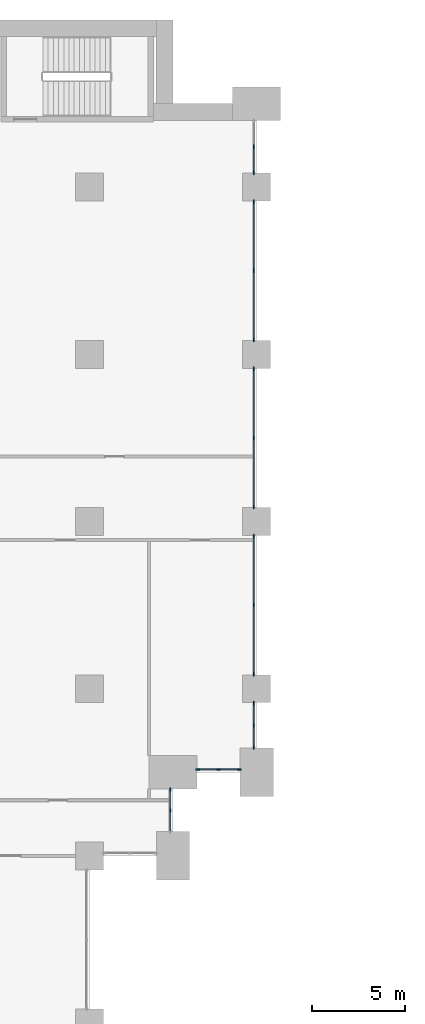
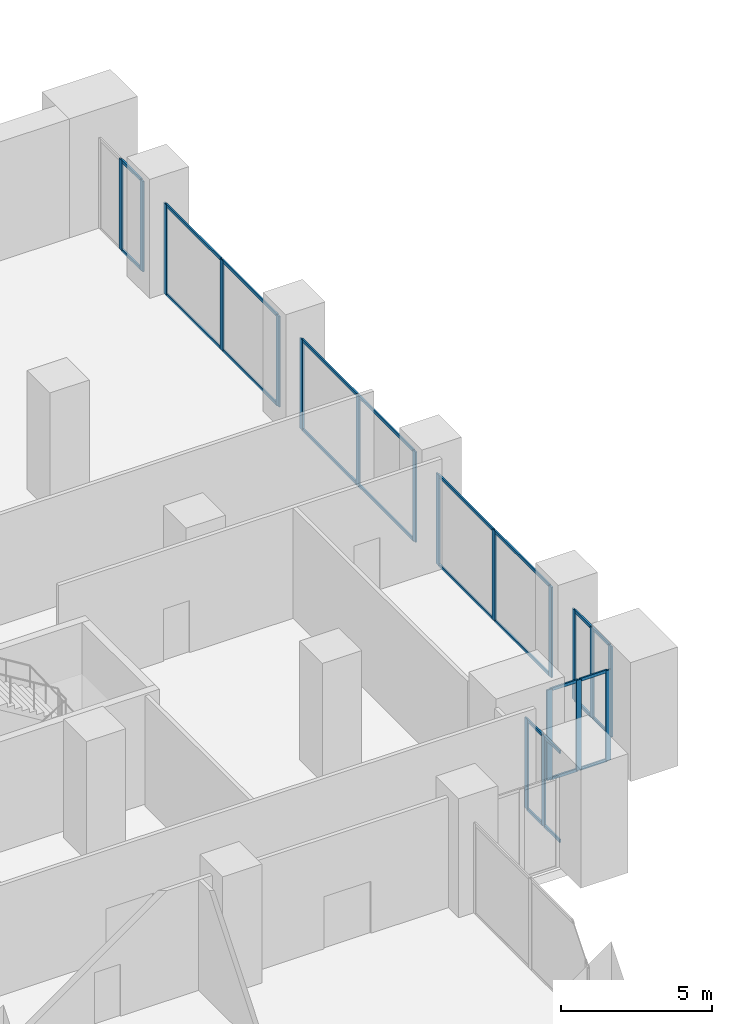
# One storey, part 6 of 31: 45 members, 7 elements without a shape of their own.
"""IFC4 building model written with IfcOpenShell, lengths in metres."""

import ifcopenshell
import ifcopenshell.guid

model = None  # the IFC model being written
_history = None  # IfcOwnerHistory: only IFC2X3 demands one
_inside = {}  # id of a spatial element -> (the spatial element, [elements in it])
_under = {}  # id of a project, library or spatial element -> (it, [spatial elements below it])
_declared = {}  # id of a project -> (the project, [libraries it declares])
_typed = {}  # id of a type object -> (the type object, [elements of that type])
_made_of = {}  # id of a material, layer set ... -> (it, [elements and type objects made of it])


def new_model(schema):
    """Start an empty IFC model of exactly this schema.

    Asked for "IFC4X3", IfcOpenShell would pick the latest addendum, in which some entities
    have other attributes; the version numbers below select the first issue.
    IFC2X3 requires an IfcOwnerHistory on every rooted entity: one is made here for all.
    """
    global model, _history
    if schema == "IFC4X3":
        model = ifcopenshell.file(schema_version=(4, 3, 0, 0))
    else:
        model = ifcopenshell.file(schema=schema)
    _inside.clear()
    _under.clear()
    _declared.clear()
    _typed.clear()
    _made_of.clear()
    _history = None
    if model.schema == "IFC2X3":
        org = make("IfcOrganization", Name="unknown")
        user = make(
            "IfcPersonAndOrganization",
            ThePerson=make("IfcPerson", FamilyName="unknown"),
            TheOrganization=org,
        )
        app = make(
            "IfcApplication",
            ApplicationDeveloper=org,
            Version="unknown",
            ApplicationFullName="unknown",
            ApplicationIdentifier="unknown",
        )
        _history = make(
            "IfcOwnerHistory",
            OwningUser=user,
            OwningApplication=app,
            ChangeAction="ADDED",
            CreationDate=0,
        )
    return model


def make(cls, **values):
    """One entity of the class cls with the attributes given. An attribute that is None is left unset."""
    return model.create_entity(
        cls, **{name: value for name, value in values.items() if value is not None}
    )


def rooted(cls, **values):
    """An entity with a GlobalId (a new one), such as an element, a storey or a relation."""
    return make(cls, GlobalId=ifcopenshell.guid.new(), OwnerHistory=_history, **values)


def si_unit(unit_type, name, prefix=None):
    """IfcSIUnit, for example si_unit("LENGTHUNIT", "METRE", prefix="MILLI")."""
    return make("IfcSIUnit", UnitType=unit_type, Prefix=prefix, Name=name)


def assignment(units):
    """IfcUnitAssignment: the units of a project."""
    return None if units is None else make("IfcUnitAssignment", Units=units)


def point(xyz):
    """IfcCartesianPoint."""
    return None if xyz is None else make("IfcCartesianPoint", Coordinates=xyz)


def direction(xyz):
    """IfcDirection."""
    return None if xyz is None else make("IfcDirection", DirectionRatios=xyz)


def frame(location, z_axis=None, x_axis=None):
    """IfcAxis2Placement3D, a coordinate frame: its origin and axes. An axis left out is left unset."""
    return make(
        "IfcAxis2Placement3D",
        Location=point(location),
        Axis=direction(z_axis),
        RefDirection=direction(x_axis),
    )


def frame_2d(location, x_axis=None):
    """IfcAxis2Placement2D, a coordinate frame in the plane: its origin and x axis."""
    return make(
        "IfcAxis2Placement2D", Location=point(location), RefDirection=direction(x_axis)
    )


def origin():
    """The frame at (0, 0, 0) with its axes left unset."""
    return frame((0.0, 0.0, 0.0))


def origin_2d():
    """The frame at (0, 0) in the plane with its x axis left unset."""
    return frame_2d((0.0, 0.0))


def place(relative_to, where):
    """IfcLocalPlacement: puts the frame where relative to a parent placement (None: the world)."""
    return make(
        "IfcLocalPlacement", PlacementRelTo=relative_to, RelativePlacement=where
    )


def context(
    kind, dimensions, precision=None, world=None, true_north=None, identifier=None
):
    """IfcGeometricRepresentationContext, for example the 3D "Model" context."""
    return make(
        "IfcGeometricRepresentationContext",
        ContextIdentifier=identifier,
        ContextType=kind,
        CoordinateSpaceDimension=dimensions,
        Precision=precision,
        WorldCoordinateSystem=world,
        TrueNorth=true_north,
    )


def subcontext(parent, identifier, kind, view, scale=None):
    """IfcGeometricRepresentationSubContext, for example "Body" below "Model"."""
    return make(
        "IfcGeometricRepresentationSubContext",
        ContextIdentifier=identifier,
        ContextType=kind,
        ParentContext=parent,
        TargetScale=scale,
        TargetView=view,
    )


def project(units=None, contexts=None):
    """IfcProject with its units and contexts."""
    return rooted(
        "IfcProject",
        Name="project",
        RepresentationContexts=contexts,
        UnitsInContext=assignment(units),
    )


def spatial(cls, under=None, at=None, **own):
    """A site, building, storey or space (cls), placed at a placement, below another one or the project."""
    s = rooted(cls, ObjectPlacement=at, **own)
    if under is not None:
        _under.setdefault(under.id(), (under, []))[1].append(s)
    return s


def profile(cls, at=None, kind="AREA", **sizes):
    """A parametric profile (cls). Its sizes go by their IFC names, for example OverallWidth=200.0."""
    return make(cls, ProfileType=kind, Position=at, **sizes)


def rectangle(**sizes):
    """IfcRectangleProfileDef."""
    return profile("IfcRectangleProfileDef", **sizes)


def extrude(swept, where, along, depth):
    """IfcExtrudedAreaSolid: the profile swept, set in the frame where, extruded along a direction by depth."""
    return make(
        "IfcExtrudedAreaSolid",
        SweptArea=swept,
        Position=where,
        ExtrudedDirection=direction(along),
        Depth=depth,
    )


def shape(context_of_items, identifier, shape_type, items):
    """IfcShapeRepresentation: the items that make up one representation, for example the "Body"."""
    return make(
        "IfcShapeRepresentation",
        ContextOfItems=context_of_items,
        RepresentationIdentifier=identifier,
        RepresentationType=shape_type,
        Items=items,
    )


def material(Name=None, Category=None):
    """IfcMaterial."""
    return make("IfcMaterial", Name=Name, Category=Category)


def material_profile(
    of_material, cross_section, Name=None, Category=None, Priority=None
):
    """IfcMaterialProfile: a cross section and its material."""
    return make(
        "IfcMaterialProfile",
        Name=Name,
        Material=of_material,
        Profile=cross_section,
        Priority=Priority,
        Category=Category,
    )


def profile_set(profiles, Name=None, composite=None):
    """IfcMaterialProfileSet."""
    return make(
        "IfcMaterialProfileSet",
        Name=Name,
        MaterialProfiles=profiles,
        CompositeProfile=composite,
    )


def made_of(thing, what):
    """Note that an element or type object is made of a material, layer set ...; save() writes the relation."""
    if what is not None:
        _made_of.setdefault(what.id(), (what, []))[1].append(thing)
    return thing


def type_object(cls, material=None, **own):
    """A type object (cls), such as IfcWallType, which elements share."""
    return made_of(rooted(cls, **own), material)


def element(
    cls,
    number,
    at=None,
    inside=None,
    cuts=None,
    type_object=None,
    material=None,
    context=None,
    identifier="Body",
    shape_type=None,
    held_by="IfcProductDefinitionShape",
    body=None,
    shapes=None,
    **own,
):
    """One element of the class cls, such as IfcWall. Its Tag is "e" and its number.

    at: its placement. inside: the storey or other place that contains it. cuts: it is an
    opening in that element (IfcRelVoidsElement). A single representation is given by context,
    identifier, shape_type and body (its items); several are given by shapes. held_by: the class
    of the entity that holds the representations. save() writes the other relations.
    """
    e = rooted(cls, Tag="e%d" % number, ObjectPlacement=at, **own)
    if body is not None:
        shapes = [shape(context, identifier, shape_type, body)]
    if shapes is not None:
        e.Representation = make(held_by, Representations=shapes)
    if inside is not None:
        _inside.setdefault(inside.id(), (inside, []))[1].append(e)
    if cuts is not None:
        rooted(
            "IfcRelVoidsElement", RelatingBuildingElement=cuts, RelatedOpeningElement=e
        )
    if type_object is not None:
        _typed.setdefault(type_object.id(), (type_object, []))[1].append(e)
    return made_of(e, material)


def aggregate(whole, parts):
    """IfcRelAggregates: a whole, such as a stair, and the parts it consists of."""
    return rooted("IfcRelAggregates", RelatingObject=whole, RelatedObjects=parts)


def save(model, path):
    """Write the relations noted so far, then the file.

    IfcRelAggregates (storeys below a building ...), IfcRelContainedInSpatialStructure (elements
    in a storey), IfcRelDefinesByType, IfcRelAssociatesMaterial and IfcRelDeclares: one each for
    every whole, place, type object, material and project.
    """
    for whole, parts in _under.values():
        aggregate(whole, parts)
    for where, things in _inside.values():
        rooted(
            "IfcRelContainedInSpatialStructure",
            RelatedElements=things,
            RelatingStructure=where,
        )
    for kind, things in _typed.values():
        rooted("IfcRelDefinesByType", RelatedObjects=things, RelatingType=kind)
    for what, things in _made_of.values():
        rooted("IfcRelAssociatesMaterial", RelatedObjects=things, RelatingMaterial=what)
    for by, libraries in _declared.values():
        rooted("IfcRelDeclares", RelatingContext=by, RelatedDefinitions=libraries)
    model.write(path)


model = new_model("IFC4")

# Units and contexts
model_context = context("Model", 3, precision=1e-05, world=origin(), true_north=direction((0.0, 1.0)))
body_context = subcontext(model_context, "Body", "Model", "MODEL_VIEW")
ifc_project = project(units=[si_unit("LENGTHUNIT", "METRE"), si_unit("AREAUNIT", "SQUARE_METRE"), si_unit("VOLUMEUNIT", "CUBIC_METRE"), si_unit("PLANEANGLEUNIT", "RADIAN"), si_unit("MASSUNIT", "GRAM", prefix="KILO")], contexts=[model_context])

# Site, building, storey
site_placement = place(None, origin())
site = spatial("IfcSite", under=ifc_project, at=site_placement, CompositionType="ELEMENT")
building_placement = place(site_placement, origin())
building = spatial("IfcBuilding", under=site, at=building_placement, Name="Hunhe Ridgeline Campus", CompositionType="ELEMENT")
storey_placement = place(building_placement, frame((0.0, 0.0, 16.800048828125)))
storey = spatial("IfcBuildingStorey", under=building, at=storey_placement, Name="L03", CompositionType="ELEMENT", Elevation=16.800048828125)

# Curtain wall, members
ifc_material_1 = material(Name="Aluminium and glass", Category="aluminium")
curtain_wall_type = type_object("IfcCurtainWallType", Name="Podium curtain wall CW-2", PredefinedType="NOTDEFINED", material=ifc_material_1)
curtain_wall_1_placement = place(storey_placement, origin())
curtain_wall_1 = element("IfcCurtainWall", 1, at=curtain_wall_1_placement, inside=storey, type_object=curtain_wall_type, Name="L03 podium curtain wall 2", PredefinedType="NOTDEFINED")
ifc_material_2 = material(Name="Aluminium", Category="aluminium")
ifc_material_profile_1 = material_profile(ifc_material_2, rectangle(XDim=0.06005859375, YDim=0.199951171875, at=origin_2d()))
ifc_profile_set_1 = profile_set([ifc_material_profile_1], Name="Aluminium")
member_type_1 = type_object("IfcMemberType", Name="CW-2 mullion 60x200", PredefinedType="MULLION", material=ifc_profile_set_1)
member_1_placement = place(storey_placement, frame((94.35009765625, 56.449951171875, 0.0), z_axis=(0.0, 0.0, 1.0), x_axis=(-1.0, 0.0, 0.0)))
member_1 = element("IfcMember", 2, at=member_1_placement, type_object=member_type_1, Name="CW2 mullion 2", PredefinedType="MULLION", context=body_context, shape_type="SweptSolid", body=[
    extrude(rectangle(XDim=0.06005859375, YDim=0.199951171875, at=origin_2d()), origin(), (0.0, 0.0, 1.0), 3.64990234375),
])
member_2_placement = place(storey_placement, frame((94.35009765625, 57.570068359375, 0.0), z_axis=(0.0, 0.0, 1.0), x_axis=(-1.0, 0.0, 0.0)))
member_2 = element("IfcMember", 3, at=member_2_placement, type_object=member_type_1, Name="CW2 mullion 3", PredefinedType="MULLION", context=body_context, shape_type="SweptSolid", body=[
    extrude(rectangle(XDim=0.06005859375, YDim=0.199951171875, at=origin_2d()), origin(), (0.0, 0.0, 1.0), 3.64990234375),
])

curtain_wall_2_placement = place(storey_placement, origin())
curtain_wall_2 = element("IfcCurtainWall", 4, at=curtain_wall_2_placement, inside=storey, type_object=curtain_wall_type, Name="L03 podium curtain wall 3", PredefinedType="NOTDEFINED")
member_3_placement = place(storey_placement, frame((95.830078125, 58.64990234375, 0.0), z_axis=(0.0, 0.0, 1.0), x_axis=(0.0, 1.0, 0.0)))
member_3 = element("IfcMember", 5, at=member_3_placement, type_object=member_type_1, Name="CW2 mullion 1", PredefinedType="MULLION", context=body_context, shape_type="SweptSolid", body=[
    extrude(rectangle(XDim=0.06005859375, YDim=0.199951171875, at=origin_2d()), origin(), (0.0, 0.0, 1.0), 3.64990234375),
])
member_4_placement = place(storey_placement, frame((96.949951171875, 58.64990234375, 0.0), z_axis=(0.0, 0.0, 1.0), x_axis=(0.0, 1.0, 0.0)))
member_4 = element("IfcMember", 6, at=member_4_placement, type_object=member_type_1, Name="CW2 mullion 2", PredefinedType="MULLION", context=body_context, shape_type="SweptSolid", body=[
    extrude(rectangle(XDim=0.06005859375, YDim=0.199951171875, at=origin_2d()), origin(), (0.0, 0.0, 1.0), 3.64990234375),
])
member_5_placement = place(storey_placement, frame((98.070068359375, 58.64990234375, 0.0), z_axis=(0.0, 0.0, 1.0), x_axis=(0.0, 1.0, 0.0)))
member_5 = element("IfcMember", 7, at=member_5_placement, type_object=member_type_1, Name="CW2 mullion 3", PredefinedType="MULLION", context=body_context, shape_type="SweptSolid", body=[
    extrude(rectangle(XDim=0.06005859375, YDim=0.199951171875, at=origin_2d()), origin(), (0.0, 0.0, 1.0), 3.64990234375),
])

curtain_wall_3_placement = place(storey_placement, origin())
curtain_wall_3 = element("IfcCurtainWall", 8, at=curtain_wall_3_placement, inside=storey, type_object=curtain_wall_type, Name="L03 podium curtain wall 4", PredefinedType="NOTDEFINED")
member_6_placement = place(storey_placement, frame((98.85009765625, 59.830078125, 0.0), z_axis=(0.0, 0.0, 1.0), x_axis=(-1.0, 0.0, 0.0)))
member_6 = element("IfcMember", 9, at=member_6_placement, type_object=member_type_1, Name="CW2 mullion 1", PredefinedType="MULLION", context=body_context, shape_type="SweptSolid", body=[
    extrude(rectangle(XDim=0.06005859375, YDim=0.199951171875, at=origin_2d()), origin(), (0.0, 0.0, 1.0), 3.64990234375),
])
member_7_placement = place(storey_placement, frame((98.85009765625, 61.02490234375, 0.0), z_axis=(0.0, 0.0, 1.0), x_axis=(-1.0, 0.0, 0.0)))
member_7 = element("IfcMember", 10, at=member_7_placement, type_object=member_type_1, Name="CW2 mullion 2", PredefinedType="MULLION", context=body_context, shape_type="SweptSolid", body=[
    extrude(rectangle(XDim=0.06005859375, YDim=0.199951171875, at=origin_2d()), origin(), (0.0, 0.0, 1.0), 3.64990234375),
])
member_8_placement = place(storey_placement, frame((98.85009765625, 62.219970703125, 0.0), z_axis=(0.0, 0.0, 1.0), x_axis=(-1.0, 0.0, 0.0)))
member_8 = element("IfcMember", 11, at=member_8_placement, type_object=member_type_1, Name="CW2 mullion 3", PredefinedType="MULLION", context=body_context, shape_type="SweptSolid", body=[
    extrude(rectangle(XDim=0.06005859375, YDim=0.199951171875, at=origin_2d()), origin(), (0.0, 0.0, 1.0), 3.64990234375),
])

curtain_wall_4_placement = place(storey_placement, origin())
curtain_wall_4 = element("IfcCurtainWall", 12, at=curtain_wall_4_placement, inside=storey, type_object=curtain_wall_type, Name="L03 podium curtain wall 5", PredefinedType="NOTDEFINED")
member_9_placement = place(storey_placement, frame((98.85009765625, 63.780029296875, 0.0), z_axis=(0.0, 0.0, 1.0), x_axis=(-1.0, 0.0, 0.0)))
member_9 = element("IfcMember", 13, at=member_9_placement, type_object=member_type_1, Name="CW2 mullion 1", PredefinedType="MULLION", context=body_context, shape_type="SweptSolid", body=[
    extrude(rectangle(XDim=0.06005859375, YDim=0.199951171875, at=origin_2d()), origin(), (0.0, 0.0, 1.0), 3.64990234375),
])
member_10_placement = place(storey_placement, frame((98.85009765625, 67.5, 0.0), z_axis=(0.0, 0.0, 1.0), x_axis=(-1.0, 0.0, 0.0)))
member_10 = element("IfcMember", 14, at=member_10_placement, type_object=member_type_1, Name="CW2 mullion 2", PredefinedType="MULLION", context=body_context, shape_type="SweptSolid", body=[
    extrude(rectangle(XDim=0.06005859375, YDim=0.199951171875, at=origin_2d()), origin(), (0.0, 0.0, 1.0), 3.64990234375),
])
member_11_placement = place(storey_placement, frame((98.85009765625, 71.219970703125, 0.0), z_axis=(0.0, 0.0, 1.0), x_axis=(-1.0, 0.0, 0.0)))
member_11 = element("IfcMember", 15, at=member_11_placement, type_object=member_type_1, Name="CW2 mullion 3", PredefinedType="MULLION", context=body_context, shape_type="SweptSolid", body=[
    extrude(rectangle(XDim=0.06005859375, YDim=0.199951171875, at=origin_2d()), origin(), (0.0, 0.0, 1.0), 3.64990234375),
])

curtain_wall_5_placement = place(storey_placement, origin())
curtain_wall_5 = element("IfcCurtainWall", 16, at=curtain_wall_5_placement, inside=storey, type_object=curtain_wall_type, Name="L03 podium curtain wall 6", PredefinedType="NOTDEFINED")
member_12_placement = place(storey_placement, frame((98.85009765625, 72.780029296875, 0.0), z_axis=(0.0, 0.0, 1.0), x_axis=(-1.0, 0.0, 0.0)))
member_12 = element("IfcMember", 17, at=member_12_placement, type_object=member_type_1, Name="CW2 mullion 1", PredefinedType="MULLION", context=body_context, shape_type="SweptSolid", body=[
    extrude(rectangle(XDim=0.06005859375, YDim=0.199951171875, at=origin_2d()), origin(), (0.0, 0.0, 1.0), 3.64990234375),
])
member_13_placement = place(storey_placement, frame((98.85009765625, 76.5, 0.0), z_axis=(0.0, 0.0, 1.0), x_axis=(-1.0, 0.0, 0.0)))
member_13 = element("IfcMember", 18, at=member_13_placement, type_object=member_type_1, Name="CW2 mullion 2", PredefinedType="MULLION", context=body_context, shape_type="SweptSolid", body=[
    extrude(rectangle(XDim=0.06005859375, YDim=0.199951171875, at=origin_2d()), origin(), (0.0, 0.0, 1.0), 3.64990234375),
])
member_14_placement = place(storey_placement, frame((98.85009765625, 80.219970703125, 0.0), z_axis=(0.0, 0.0, 1.0), x_axis=(-1.0, 0.0, 0.0)))
member_14 = element("IfcMember", 19, at=member_14_placement, type_object=member_type_1, Name="CW2 mullion 3", PredefinedType="MULLION", context=body_context, shape_type="SweptSolid", body=[
    extrude(rectangle(XDim=0.06005859375, YDim=0.199951171875, at=origin_2d()), origin(), (0.0, 0.0, 1.0), 3.64990234375),
])

curtain_wall_6_placement = place(storey_placement, origin())
curtain_wall_6 = element("IfcCurtainWall", 20, at=curtain_wall_6_placement, inside=storey, type_object=curtain_wall_type, Name="L03 podium curtain wall 7", PredefinedType="NOTDEFINED")
member_15_placement = place(storey_placement, frame((98.85009765625, 81.780029296875, 0.0), z_axis=(0.0, 0.0, 1.0), x_axis=(-1.0, 0.0, 0.0)))
member_15 = element("IfcMember", 21, at=member_15_placement, type_object=member_type_1, Name="CW2 mullion 1", PredefinedType="MULLION", context=body_context, shape_type="SweptSolid", body=[
    extrude(rectangle(XDim=0.06005859375, YDim=0.199951171875, at=origin_2d()), origin(), (0.0, 0.0, 1.0), 3.64990234375),
])
member_16_placement = place(storey_placement, frame((98.85009765625, 85.5, 0.0), z_axis=(0.0, 0.0, 1.0), x_axis=(-1.0, 0.0, 0.0)))
member_16 = element("IfcMember", 22, at=member_16_placement, type_object=member_type_1, Name="CW2 mullion 2", PredefinedType="MULLION", context=body_context, shape_type="SweptSolid", body=[
    extrude(rectangle(XDim=0.06005859375, YDim=0.199951171875, at=origin_2d()), origin(), (0.0, 0.0, 1.0), 3.64990234375),
])
member_17_placement = place(storey_placement, frame((98.85009765625, 89.219970703125, 0.0), z_axis=(0.0, 0.0, 1.0), x_axis=(-1.0, 0.0, 0.0)))
member_17 = element("IfcMember", 23, at=member_17_placement, type_object=member_type_1, Name="CW2 mullion 3", PredefinedType="MULLION", context=body_context, shape_type="SweptSolid", body=[
    extrude(rectangle(XDim=0.06005859375, YDim=0.199951171875, at=origin_2d()), origin(), (0.0, 0.0, 1.0), 3.64990234375),
])

curtain_wall_7_placement = place(storey_placement, origin())
curtain_wall_7 = element("IfcCurtainWall", 24, at=curtain_wall_7_placement, inside=storey, type_object=curtain_wall_type, Name="L03 podium curtain wall 8", PredefinedType="NOTDEFINED")
member_18_placement = place(storey_placement, frame((98.85009765625, 90.780029296875, 0.0), z_axis=(0.0, 0.0, 1.0), x_axis=(-1.0, 0.0, 0.0)))
member_18 = element("IfcMember", 25, at=member_18_placement, type_object=member_type_1, Name="CW2 mullion 1", PredefinedType="MULLION", context=body_context, shape_type="SweptSolid", body=[
    extrude(rectangle(XDim=0.06005859375, YDim=0.199951171875, at=origin_2d()), origin(), (0.0, 0.0, 1.0), 3.64990234375),
])
member_19_placement = place(storey_placement, frame((98.85009765625, 92.175048828125, 0.0), z_axis=(0.0, 0.0, 1.0), x_axis=(-1.0, 0.0, 0.0)))
member_19 = element("IfcMember", 26, at=member_19_placement, type_object=member_type_1, Name="CW2 mullion 2", PredefinedType="MULLION", context=body_context, shape_type="SweptSolid", body=[
    extrude(rectangle(XDim=0.06005859375, YDim=0.199951171875, at=origin_2d()), origin(), (0.0, 0.0, 1.0), 3.64990234375),
])

# Member
ifc_material_profile_2 = material_profile(ifc_material_2, rectangle(XDim=0.06005859375, YDim=0.1201171875, at=origin_2d()))
ifc_profile_set_2 = profile_set([ifc_material_profile_2], Name="Aluminium")
member_type_2 = type_object("IfcMemberType", Name="CW-2 transom 60x120", PredefinedType="USERDEFINED", material=ifc_profile_set_2)
member_20_placement = place(storey_placement, frame((94.35009765625, 55.360107421875, 0.030029296875), z_axis=(0.0, 1.0, 0.0), x_axis=(-1.0, 0.0, 0.0)))
member_20 = element("IfcMember", 27, at=member_20_placement, type_object=member_type_2, Name="CW2 transom 1.1", ObjectType="TRANSOM", PredefinedType="USERDEFINED", context=body_context, shape_type="SweptSolid", body=[
    extrude(rectangle(XDim=0.06005859375, YDim=0.1201171875, at=origin_2d()), origin(), (0.0, 0.0, 1.0), 1.059814453125),
])

member_21_placement = place(storey_placement, frame((94.35009765625, 55.360107421875, 3.619873046875), z_axis=(0.0, 1.0, 0.0), x_axis=(-1.0, 0.0, 0.0)))
member_21 = element("IfcMember", 28, at=member_21_placement, type_object=member_type_2, Name="CW2 transom 1.2", ObjectType="TRANSOM", PredefinedType="USERDEFINED", context=body_context, shape_type="SweptSolid", body=[
    extrude(rectangle(XDim=0.06005859375, YDim=0.1201171875, at=origin_2d()), origin(), (0.0, 0.0, 1.0), 1.059814453125),
])

member_22_placement = place(storey_placement, frame((94.35009765625, 56.47998046875, 0.030029296875), z_axis=(0.0, 1.0, 0.0), x_axis=(-1.0, 0.0, 0.0)))
member_22 = element("IfcMember", 29, at=member_22_placement, type_object=member_type_2, Name="CW2 transom 2.1", ObjectType="TRANSOM", PredefinedType="USERDEFINED", context=body_context, shape_type="SweptSolid", body=[
    extrude(rectangle(XDim=0.06005859375, YDim=0.1201171875, at=origin_2d()), origin(), (0.0, 0.0, 1.0), 1.06005859375),
])

member_23_placement = place(storey_placement, frame((94.35009765625, 56.47998046875, 3.619873046875), z_axis=(0.0, 1.0, 0.0), x_axis=(-1.0, 0.0, 0.0)))
member_23 = element("IfcMember", 30, at=member_23_placement, type_object=member_type_2, Name="CW2 transom 2.2", ObjectType="TRANSOM", PredefinedType="USERDEFINED", context=body_context, shape_type="SweptSolid", body=[
    extrude(rectangle(XDim=0.06005859375, YDim=0.1201171875, at=origin_2d()), origin(), (0.0, 0.0, 1.0), 1.06005859375),
])

aggregate(curtain_wall_1, [member_1, member_2, member_20, member_21, member_22, member_23])

member_24_placement = place(storey_placement, frame((95.860107421875, 58.64990234375, 0.030029296875), z_axis=(1.0, 0.0, 0.0), x_axis=(0.0, 1.0, 0.0)))
member_24 = element("IfcMember", 31, at=member_24_placement, type_object=member_type_2, Name="CW2 transom 1.1", ObjectType="TRANSOM", PredefinedType="USERDEFINED", context=body_context, shape_type="SweptSolid", body=[
    extrude(rectangle(XDim=0.06005859375, YDim=0.1201171875, at=origin_2d()), origin(), (0.0, 0.0, 1.0), 1.059814453125),
])

member_25_placement = place(storey_placement, frame((95.860107421875, 58.64990234375, 3.619873046875), z_axis=(1.0, 0.0, 0.0), x_axis=(0.0, 1.0, 0.0)))
member_25 = element("IfcMember", 32, at=member_25_placement, type_object=member_type_2, Name="CW2 transom 1.2", ObjectType="TRANSOM", PredefinedType="USERDEFINED", context=body_context, shape_type="SweptSolid", body=[
    extrude(rectangle(XDim=0.06005859375, YDim=0.1201171875, at=origin_2d()), origin(), (0.0, 0.0, 1.0), 1.059814453125),
])

member_26_placement = place(storey_placement, frame((96.97998046875, 58.64990234375, 0.030029296875), z_axis=(1.0, 0.0, 0.0), x_axis=(0.0, 1.0, 0.0)))
member_26 = element("IfcMember", 33, at=member_26_placement, type_object=member_type_2, Name="CW2 transom 2.1", ObjectType="TRANSOM", PredefinedType="USERDEFINED", context=body_context, shape_type="SweptSolid", body=[
    extrude(rectangle(XDim=0.06005859375, YDim=0.1201171875, at=origin_2d()), origin(), (0.0, 0.0, 1.0), 1.06005859375),
])

member_27_placement = place(storey_placement, frame((96.97998046875, 58.64990234375, 3.619873046875), z_axis=(1.0, 0.0, 0.0), x_axis=(0.0, 1.0, 0.0)))
member_27 = element("IfcMember", 34, at=member_27_placement, type_object=member_type_2, Name="CW2 transom 2.2", ObjectType="TRANSOM", PredefinedType="USERDEFINED", context=body_context, shape_type="SweptSolid", body=[
    extrude(rectangle(XDim=0.06005859375, YDim=0.1201171875, at=origin_2d()), origin(), (0.0, 0.0, 1.0), 1.06005859375),
])

aggregate(curtain_wall_2, [member_3, member_4, member_5, member_24, member_25, member_26, member_27])

member_28_placement = place(storey_placement, frame((98.85009765625, 59.860107421875, 0.030029296875), z_axis=(0.0, 1.0, 0.0), x_axis=(-1.0, 0.0, 0.0)))
member_28 = element("IfcMember", 35, at=member_28_placement, type_object=member_type_2, Name="CW2 transom 1.1", ObjectType="TRANSOM", PredefinedType="USERDEFINED", context=body_context, shape_type="SweptSolid", body=[
    extrude(rectangle(XDim=0.06005859375, YDim=0.1201171875, at=origin_2d()), origin(), (0.0, 0.0, 1.0), 1.135009765625),
])

member_29_placement = place(storey_placement, frame((98.85009765625, 59.860107421875, 3.619873046875), z_axis=(0.0, 1.0, 0.0), x_axis=(-1.0, 0.0, 0.0)))
member_29 = element("IfcMember", 36, at=member_29_placement, type_object=member_type_2, Name="CW2 transom 1.2", ObjectType="TRANSOM", PredefinedType="USERDEFINED", context=body_context, shape_type="SweptSolid", body=[
    extrude(rectangle(XDim=0.06005859375, YDim=0.1201171875, at=origin_2d()), origin(), (0.0, 0.0, 1.0), 1.135009765625),
])

member_30_placement = place(storey_placement, frame((98.85009765625, 61.054931640625, 0.030029296875), z_axis=(0.0, 1.0, 0.0), x_axis=(-1.0, 0.0, 0.0)))
member_30 = element("IfcMember", 37, at=member_30_placement, type_object=member_type_2, Name="CW2 transom 2.1", ObjectType="TRANSOM", PredefinedType="USERDEFINED", context=body_context, shape_type="SweptSolid", body=[
    extrude(rectangle(XDim=0.06005859375, YDim=0.1201171875, at=origin_2d()), origin(), (0.0, 0.0, 1.0), 1.135009765625),
])

member_31_placement = place(storey_placement, frame((98.85009765625, 61.054931640625, 3.619873046875), z_axis=(0.0, 1.0, 0.0), x_axis=(-1.0, 0.0, 0.0)))
member_31 = element("IfcMember", 38, at=member_31_placement, type_object=member_type_2, Name="CW2 transom 2.2", ObjectType="TRANSOM", PredefinedType="USERDEFINED", context=body_context, shape_type="SweptSolid", body=[
    extrude(rectangle(XDim=0.06005859375, YDim=0.1201171875, at=origin_2d()), origin(), (0.0, 0.0, 1.0), 1.135009765625),
])

aggregate(curtain_wall_3, [member_6, member_7, member_8, member_28, member_29, member_30, member_31])

member_32_placement = place(storey_placement, frame((98.85009765625, 63.81005859375, 0.030029296875), z_axis=(0.0, 1.0, 0.0), x_axis=(-1.0, 0.0, 0.0)))
member_32 = element("IfcMember", 39, at=member_32_placement, type_object=member_type_2, Name="CW2 transom 1.1", ObjectType="TRANSOM", PredefinedType="USERDEFINED", context=body_context, shape_type="SweptSolid", body=[
    extrude(rectangle(XDim=0.06005859375, YDim=0.1201171875, at=origin_2d()), origin(), (0.0, 0.0, 1.0), 3.659912109375),
])

member_33_placement = place(storey_placement, frame((98.85009765625, 63.81005859375, 3.619873046875), z_axis=(0.0, 1.0, 0.0), x_axis=(-1.0, 0.0, 0.0)))
member_33 = element("IfcMember", 40, at=member_33_placement, type_object=member_type_2, Name="CW2 transom 1.2", ObjectType="TRANSOM", PredefinedType="USERDEFINED", context=body_context, shape_type="SweptSolid", body=[
    extrude(rectangle(XDim=0.06005859375, YDim=0.1201171875, at=origin_2d()), origin(), (0.0, 0.0, 1.0), 3.659912109375),
])

member_34_placement = place(storey_placement, frame((98.85009765625, 67.530029296875, 0.030029296875), z_axis=(0.0, 1.0, 0.0), x_axis=(-1.0, 0.0, 0.0)))
member_34 = element("IfcMember", 41, at=member_34_placement, type_object=member_type_2, Name="CW2 transom 2.1", ObjectType="TRANSOM", PredefinedType="USERDEFINED", context=body_context, shape_type="SweptSolid", body=[
    extrude(rectangle(XDim=0.06005859375, YDim=0.1201171875, at=origin_2d()), origin(), (0.0, 0.0, 1.0), 3.659912109375),
])

member_35_placement = place(storey_placement, frame((98.85009765625, 67.530029296875, 3.619873046875), z_axis=(0.0, 1.0, 0.0), x_axis=(-1.0, 0.0, 0.0)))
member_35 = element("IfcMember", 42, at=member_35_placement, type_object=member_type_2, Name="CW2 transom 2.2", ObjectType="TRANSOM", PredefinedType="USERDEFINED", context=body_context, shape_type="SweptSolid", body=[
    extrude(rectangle(XDim=0.06005859375, YDim=0.1201171875, at=origin_2d()), origin(), (0.0, 0.0, 1.0), 3.659912109375),
])

aggregate(curtain_wall_4, [member_9, member_10, member_11, member_32, member_33, member_34, member_35])

member_36_placement = place(storey_placement, frame((98.85009765625, 72.81005859375, 0.030029296875), z_axis=(0.0, 1.0, 0.0), x_axis=(-1.0, 0.0, 0.0)))
member_36 = element("IfcMember", 43, at=member_36_placement, type_object=member_type_2, Name="CW2 transom 1.1", ObjectType="TRANSOM", PredefinedType="USERDEFINED", context=body_context, shape_type="SweptSolid", body=[
    extrude(rectangle(XDim=0.06005859375, YDim=0.1201171875, at=origin_2d()), origin(), (0.0, 0.0, 1.0), 3.659912109375),
])

member_37_placement = place(storey_placement, frame((98.85009765625, 72.81005859375, 3.619873046875), z_axis=(0.0, 1.0, 0.0), x_axis=(-1.0, 0.0, 0.0)))
member_37 = element("IfcMember", 44, at=member_37_placement, type_object=member_type_2, Name="CW2 transom 1.2", ObjectType="TRANSOM", PredefinedType="USERDEFINED", context=body_context, shape_type="SweptSolid", body=[
    extrude(rectangle(XDim=0.06005859375, YDim=0.1201171875, at=origin_2d()), origin(), (0.0, 0.0, 1.0), 3.659912109375),
])

member_38_placement = place(storey_placement, frame((98.85009765625, 76.530029296875, 0.030029296875), z_axis=(0.0, 1.0, 0.0), x_axis=(-1.0, 0.0, 0.0)))
member_38 = element("IfcMember", 45, at=member_38_placement, type_object=member_type_2, Name="CW2 transom 2.1", ObjectType="TRANSOM", PredefinedType="USERDEFINED", context=body_context, shape_type="SweptSolid", body=[
    extrude(rectangle(XDim=0.06005859375, YDim=0.1201171875, at=origin_2d()), origin(), (0.0, 0.0, 1.0), 3.659912109375),
])

member_39_placement = place(storey_placement, frame((98.85009765625, 76.530029296875, 3.619873046875), z_axis=(0.0, 1.0, 0.0), x_axis=(-1.0, 0.0, 0.0)))
member_39 = element("IfcMember", 46, at=member_39_placement, type_object=member_type_2, Name="CW2 transom 2.2", ObjectType="TRANSOM", PredefinedType="USERDEFINED", context=body_context, shape_type="SweptSolid", body=[
    extrude(rectangle(XDim=0.06005859375, YDim=0.1201171875, at=origin_2d()), origin(), (0.0, 0.0, 1.0), 3.659912109375),
])

aggregate(curtain_wall_5, [member_12, member_13, member_14, member_36, member_37, member_38, member_39])

member_40_placement = place(storey_placement, frame((98.85009765625, 81.81005859375, 0.030029296875), z_axis=(0.0, 1.0, 0.0), x_axis=(-1.0, 0.0, 0.0)))
member_40 = element("IfcMember", 47, at=member_40_placement, type_object=member_type_2, Name="CW2 transom 1.1", ObjectType="TRANSOM", PredefinedType="USERDEFINED", context=body_context, shape_type="SweptSolid", body=[
    extrude(rectangle(XDim=0.06005859375, YDim=0.1201171875, at=origin_2d()), origin(), (0.0, 0.0, 1.0), 3.659912109375),
])

member_41_placement = place(storey_placement, frame((98.85009765625, 81.81005859375, 3.619873046875), z_axis=(0.0, 1.0, 0.0), x_axis=(-1.0, 0.0, 0.0)))
member_41 = element("IfcMember", 48, at=member_41_placement, type_object=member_type_2, Name="CW2 transom 1.2", ObjectType="TRANSOM", PredefinedType="USERDEFINED", context=body_context, shape_type="SweptSolid", body=[
    extrude(rectangle(XDim=0.06005859375, YDim=0.1201171875, at=origin_2d()), origin(), (0.0, 0.0, 1.0), 3.659912109375),
])

member_42_placement = place(storey_placement, frame((98.85009765625, 85.530029296875, 0.030029296875), z_axis=(0.0, 1.0, 0.0), x_axis=(-1.0, 0.0, 0.0)))
member_42 = element("IfcMember", 49, at=member_42_placement, type_object=member_type_2, Name="CW2 transom 2.1", ObjectType="TRANSOM", PredefinedType="USERDEFINED", context=body_context, shape_type="SweptSolid", body=[
    extrude(rectangle(XDim=0.06005859375, YDim=0.1201171875, at=origin_2d()), origin(), (0.0, 0.0, 1.0), 3.659912109375),
])

member_43_placement = place(storey_placement, frame((98.85009765625, 85.530029296875, 3.619873046875), z_axis=(0.0, 1.0, 0.0), x_axis=(-1.0, 0.0, 0.0)))
member_43 = element("IfcMember", 50, at=member_43_placement, type_object=member_type_2, Name="CW2 transom 2.2", ObjectType="TRANSOM", PredefinedType="USERDEFINED", context=body_context, shape_type="SweptSolid", body=[
    extrude(rectangle(XDim=0.06005859375, YDim=0.1201171875, at=origin_2d()), origin(), (0.0, 0.0, 1.0), 3.659912109375),
])

aggregate(curtain_wall_6, [member_15, member_16, member_17, member_40, member_41, member_42, member_43])

member_44_placement = place(storey_placement, frame((98.85009765625, 90.81005859375, 0.030029296875), z_axis=(0.0, 1.0, 0.0), x_axis=(-1.0, 0.0, 0.0)))
member_44 = element("IfcMember", 51, at=member_44_placement, type_object=member_type_2, Name="CW2 transom 1.1", ObjectType="TRANSOM", PredefinedType="USERDEFINED", context=body_context, shape_type="SweptSolid", body=[
    extrude(rectangle(XDim=0.06005859375, YDim=0.1201171875, at=origin_2d()), origin(), (0.0, 0.0, 1.0), 1.3349609375),
])

member_45_placement = place(storey_placement, frame((98.85009765625, 90.81005859375, 3.619873046875), z_axis=(0.0, 1.0, 0.0), x_axis=(-1.0, 0.0, 0.0)))
member_45 = element("IfcMember", 52, at=member_45_placement, type_object=member_type_2, Name="CW2 transom 1.2", ObjectType="TRANSOM", PredefinedType="USERDEFINED", context=body_context, shape_type="SweptSolid", body=[
    extrude(rectangle(XDim=0.06005859375, YDim=0.1201171875, at=origin_2d()), origin(), (0.0, 0.0, 1.0), 1.3349609375),
])

aggregate(curtain_wall_7, [member_18, member_19, member_44, member_45])

save(model, "model.ifc")
